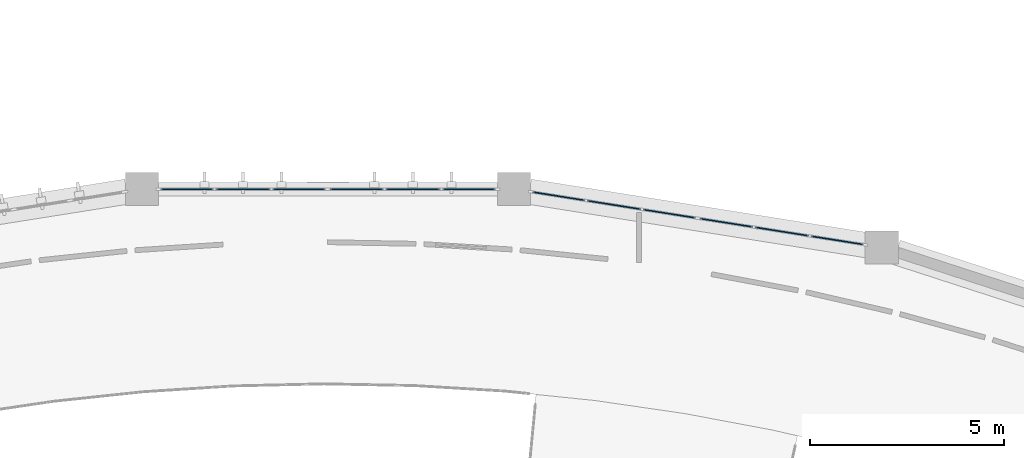
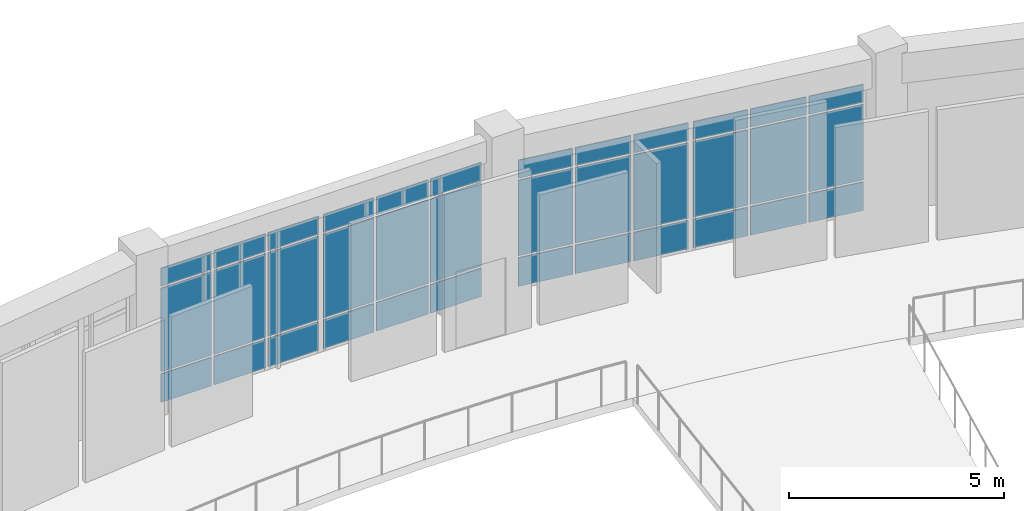
# One storey, part 44 of 68: 36 plates, 4 elements without a shape of their own.
"""IFC4 building model written with IfcOpenShell, lengths in metres."""

import ifcopenshell
import ifcopenshell.guid

model = None  # the IFC model being written
_history = None  # IfcOwnerHistory: only IFC2X3 demands one
_inside = {}  # id of a spatial element -> (the spatial element, [elements in it])
_under = {}  # id of a project, library or spatial element -> (it, [spatial elements below it])
_declared = {}  # id of a project -> (the project, [libraries it declares])
_typed = {}  # id of a type object -> (the type object, [elements of that type])
_made_of = {}  # id of a material, layer set ... -> (it, [elements and type objects made of it])


def new_model(schema):
    """Start an empty IFC model of exactly this schema.

    Asked for "IFC4X3", IfcOpenShell would pick the latest addendum, in which some entities
    have other attributes; the version numbers below select the first issue.
    IFC2X3 requires an IfcOwnerHistory on every rooted entity: one is made here for all.
    """
    global model, _history
    if schema == "IFC4X3":
        model = ifcopenshell.file(schema_version=(4, 3, 0, 0))
    else:
        model = ifcopenshell.file(schema=schema)
    _inside.clear()
    _under.clear()
    _declared.clear()
    _typed.clear()
    _made_of.clear()
    _history = None
    if model.schema == "IFC2X3":
        org = make("IfcOrganization", Name="unknown")
        user = make(
            "IfcPersonAndOrganization",
            ThePerson=make("IfcPerson", FamilyName="unknown"),
            TheOrganization=org,
        )
        app = make(
            "IfcApplication",
            ApplicationDeveloper=org,
            Version="unknown",
            ApplicationFullName="unknown",
            ApplicationIdentifier="unknown",
        )
        _history = make(
            "IfcOwnerHistory",
            OwningUser=user,
            OwningApplication=app,
            ChangeAction="ADDED",
            CreationDate=0,
        )
    return model


def make(cls, **values):
    """One entity of the class cls with the attributes given. An attribute that is None is left unset."""
    return model.create_entity(
        cls, **{name: value for name, value in values.items() if value is not None}
    )


def rooted(cls, **values):
    """An entity with a GlobalId (a new one), such as an element, a storey or a relation."""
    return make(cls, GlobalId=ifcopenshell.guid.new(), OwnerHistory=_history, **values)


def si_unit(unit_type, name, prefix=None):
    """IfcSIUnit, for example si_unit("LENGTHUNIT", "METRE", prefix="MILLI")."""
    return make("IfcSIUnit", UnitType=unit_type, Prefix=prefix, Name=name)


def assignment(units):
    """IfcUnitAssignment: the units of a project."""
    return None if units is None else make("IfcUnitAssignment", Units=units)


def point(xyz):
    """IfcCartesianPoint."""
    return None if xyz is None else make("IfcCartesianPoint", Coordinates=xyz)


def direction(xyz):
    """IfcDirection."""
    return None if xyz is None else make("IfcDirection", DirectionRatios=xyz)


def frame(location, z_axis=None, x_axis=None):
    """IfcAxis2Placement3D, a coordinate frame: its origin and axes. An axis left out is left unset."""
    return make(
        "IfcAxis2Placement3D",
        Location=point(location),
        Axis=direction(z_axis),
        RefDirection=direction(x_axis),
    )


def frame_2d(location, x_axis=None):
    """IfcAxis2Placement2D, a coordinate frame in the plane: its origin and x axis."""
    return make(
        "IfcAxis2Placement2D", Location=point(location), RefDirection=direction(x_axis)
    )


def origin():
    """The frame at (0, 0, 0) with its axes left unset."""
    return frame((0.0, 0.0, 0.0))


def origin_2d():
    """The frame at (0, 0) in the plane with its x axis left unset."""
    return frame_2d((0.0, 0.0))


def place(relative_to, where):
    """IfcLocalPlacement: puts the frame where relative to a parent placement (None: the world)."""
    return make(
        "IfcLocalPlacement", PlacementRelTo=relative_to, RelativePlacement=where
    )


def context(
    kind, dimensions, precision=None, world=None, true_north=None, identifier=None
):
    """IfcGeometricRepresentationContext, for example the 3D "Model" context."""
    return make(
        "IfcGeometricRepresentationContext",
        ContextIdentifier=identifier,
        ContextType=kind,
        CoordinateSpaceDimension=dimensions,
        Precision=precision,
        WorldCoordinateSystem=world,
        TrueNorth=true_north,
    )


def subcontext(parent, identifier, kind, view, scale=None):
    """IfcGeometricRepresentationSubContext, for example "Body" below "Model"."""
    return make(
        "IfcGeometricRepresentationSubContext",
        ContextIdentifier=identifier,
        ContextType=kind,
        ParentContext=parent,
        TargetScale=scale,
        TargetView=view,
    )


def project(units=None, contexts=None):
    """IfcProject with its units and contexts."""
    return rooted(
        "IfcProject",
        Name="project",
        RepresentationContexts=contexts,
        UnitsInContext=assignment(units),
    )


def spatial(cls, under=None, at=None, **own):
    """A site, building, storey or space (cls), placed at a placement, below another one or the project."""
    s = rooted(cls, ObjectPlacement=at, **own)
    if under is not None:
        _under.setdefault(under.id(), (under, []))[1].append(s)
    return s


def profile(cls, at=None, kind="AREA", **sizes):
    """A parametric profile (cls). Its sizes go by their IFC names, for example OverallWidth=200.0."""
    return make(cls, ProfileType=kind, Position=at, **sizes)


def rectangle(**sizes):
    """IfcRectangleProfileDef."""
    return profile("IfcRectangleProfileDef", **sizes)


def extrude(swept, where, along, depth):
    """IfcExtrudedAreaSolid: the profile swept, set in the frame where, extruded along a direction by depth."""
    return make(
        "IfcExtrudedAreaSolid",
        SweptArea=swept,
        Position=where,
        ExtrudedDirection=direction(along),
        Depth=depth,
    )


def shape(context_of_items, identifier, shape_type, items):
    """IfcShapeRepresentation: the items that make up one representation, for example the "Body"."""
    return make(
        "IfcShapeRepresentation",
        ContextOfItems=context_of_items,
        RepresentationIdentifier=identifier,
        RepresentationType=shape_type,
        Items=items,
    )


def material(Name=None, Category=None):
    """IfcMaterial."""
    return make("IfcMaterial", Name=Name, Category=Category)


def layer(
    of_material, thickness, ventilated=None, Name=None, Category=None, Priority=None
):
    """IfcMaterialLayer: one layer of a wall or slab, of a material (None: an air gap)."""
    return make(
        "IfcMaterialLayer",
        Material=of_material,
        LayerThickness=thickness,
        IsVentilated=ventilated,
        Name=Name,
        Category=Category,
        Priority=Priority,
    )


def layer_set(layers, Name=None):
    """IfcMaterialLayerSet."""
    return make("IfcMaterialLayerSet", MaterialLayers=layers, LayerSetName=Name)


def made_of(thing, what):
    """Note that an element or type object is made of a material, layer set ...; save() writes the relation."""
    if what is not None:
        _made_of.setdefault(what.id(), (what, []))[1].append(thing)
    return thing


def type_object(cls, material=None, **own):
    """A type object (cls), such as IfcWallType, which elements share."""
    return made_of(rooted(cls, **own), material)


def element(
    cls,
    number,
    at=None,
    inside=None,
    cuts=None,
    type_object=None,
    material=None,
    context=None,
    identifier="Body",
    shape_type=None,
    held_by="IfcProductDefinitionShape",
    body=None,
    shapes=None,
    **own,
):
    """One element of the class cls, such as IfcWall. Its Tag is "e" and its number.

    at: its placement. inside: the storey or other place that contains it. cuts: it is an
    opening in that element (IfcRelVoidsElement). A single representation is given by context,
    identifier, shape_type and body (its items); several are given by shapes. held_by: the class
    of the entity that holds the representations. save() writes the other relations.
    """
    e = rooted(cls, Tag="e%d" % number, ObjectPlacement=at, **own)
    if body is not None:
        shapes = [shape(context, identifier, shape_type, body)]
    if shapes is not None:
        e.Representation = make(held_by, Representations=shapes)
    if inside is not None:
        _inside.setdefault(inside.id(), (inside, []))[1].append(e)
    if cuts is not None:
        rooted(
            "IfcRelVoidsElement", RelatingBuildingElement=cuts, RelatedOpeningElement=e
        )
    if type_object is not None:
        _typed.setdefault(type_object.id(), (type_object, []))[1].append(e)
    return made_of(e, material)


def aggregate(whole, parts):
    """IfcRelAggregates: a whole, such as a stair, and the parts it consists of."""
    return rooted("IfcRelAggregates", RelatingObject=whole, RelatedObjects=parts)


def save(model, path):
    """Write the relations noted so far, then the file.

    IfcRelAggregates (storeys below a building ...), IfcRelContainedInSpatialStructure (elements
    in a storey), IfcRelDefinesByType, IfcRelAssociatesMaterial and IfcRelDeclares: one each for
    every whole, place, type object, material and project.
    """
    for whole, parts in _under.values():
        aggregate(whole, parts)
    for where, things in _inside.values():
        rooted(
            "IfcRelContainedInSpatialStructure",
            RelatedElements=things,
            RelatingStructure=where,
        )
    for kind, things in _typed.values():
        rooted("IfcRelDefinesByType", RelatedObjects=things, RelatingType=kind)
    for what, things in _made_of.values():
        rooted("IfcRelAssociatesMaterial", RelatedObjects=things, RelatingMaterial=what)
    for by, libraries in _declared.values():
        rooted("IfcRelDeclares", RelatingContext=by, RelatedDefinitions=libraries)
    model.write(path)


model = new_model("IFC4")

# Units and contexts
model_context = context("Model", 3, precision=1e-05, world=origin(), true_north=direction((0.0, 1.0)))
body_context = subcontext(model_context, "Body", "Model", "MODEL_VIEW")
ifc_project = project(units=[si_unit("LENGTHUNIT", "METRE"), si_unit("AREAUNIT", "SQUARE_METRE"), si_unit("VOLUMEUNIT", "CUBIC_METRE"), si_unit("PLANEANGLEUNIT", "RADIAN"), si_unit("MASSUNIT", "GRAM", prefix="KILO")], contexts=[model_context])

# Site, building, storey
site_placement = place(None, origin())
site = spatial("IfcSite", under=ifc_project, at=site_placement, CompositionType="ELEMENT")
building_placement = place(site_placement, origin())
building = spatial("IfcBuilding", under=site, at=building_placement, Name="Miralva Faculty of Natural Sciences", CompositionType="ELEMENT")
storey_placement = place(building_placement, frame((0.0, 0.0, 5.39990234375)))
storey = spatial("IfcBuildingStorey", under=building, at=storey_placement, Name="L01", CompositionType="ELEMENT", Elevation=5.39990234375)

# Curtain wall, plates
ifc_material = material(Name="Laminated solar-control glass", Category="glass")
ifc_layer_1 = layer(ifc_material, 0.179931640625, Name="CW-ARC-L01")
ifc_layer_set_1 = layer_set([ifc_layer_1], Name="Laminated solar-control glass")
curtain_wall_type = type_object("IfcCurtainWallType", Name="CW-ARC-L01", PredefinedType="USERDEFINED", material=ifc_layer_set_1)
curtain_wall_1_placement = place(storey_placement, origin())
curtain_wall_1 = element("IfcCurtainWall", 1, at=curtain_wall_1_placement, inside=storey, type_object=curtain_wall_type, Name="Curtain wall CW-02 L01-39", ObjectType="UNITISED CURTAIN WALL", PredefinedType="USERDEFINED")
ifc_layer_2 = layer(ifc_material, 0.028076171875, Name="PNL-P01")
ifc_layer_set_2 = layer_set([ifc_layer_2], Name="Laminated solar-control glass")
plate_type = type_object("IfcPlateType", Name="PNL-P01", PredefinedType="CURTAIN_PANEL", material=ifc_layer_set_2)
plate_1_placement = place(storey_placement, frame((86.373779296875, 39.81201171875, 0.06005859375), z_axis=(0.0, 0.0, 1.0), x_axis=(1.0, 0.0, 0.0)))
plate_1 = element("IfcPlate", 2, at=plate_1_placement, type_object=plate_type, Name="CW-02 panel 1.1", PredefinedType="CURTAIN_PANEL", context=body_context, shape_type="SweptSolid", body=[
    extrude(rectangle(XDim=1.359619140625, YDim=0.028076171875, at=origin_2d()), origin(), (0.0, 0.0, 1.0), 0.81005859375),
])
plate_2_placement = place(storey_placement, frame((86.373779296875, 39.81201171875, 0.93017578125), z_axis=(0.0, 0.0, 1.0), x_axis=(1.0, 0.0, 0.0)))
plate_2 = element("IfcPlate", 3, at=plate_2_placement, type_object=plate_type, Name="CW-02 panel 1.2", PredefinedType="CURTAIN_PANEL", context=body_context, shape_type="SweptSolid", body=[
    extrude(rectangle(XDim=1.359619140625, YDim=0.028076171875, at=origin_2d()), origin(), (0.0, 0.0, 1.0), 2.375),
])
plate_3_placement = place(storey_placement, frame((86.373779296875, 39.81201171875, 3.365234375), z_axis=(0.0, 0.0, 1.0), x_axis=(1.0, 0.0, 0.0)))
plate_3 = element("IfcPlate", 4, at=plate_3_placement, type_object=plate_type, Name="CW-02 panel 1.3", PredefinedType="CURTAIN_PANEL", context=body_context, shape_type="SweptSolid", body=[
    extrude(rectangle(XDim=1.359619140625, YDim=0.028076171875, at=origin_2d()), origin(), (0.0, 0.0, 1.0), 0.510009765625),
])
plate_4_placement = place(storey_placement, frame((87.814453125, 39.81201171875, 0.06005859375), z_axis=(0.0, 0.0, 1.0), x_axis=(1.0, 0.0, 0.0)))
plate_4 = element("IfcPlate", 5, at=plate_4_placement, type_object=plate_type, Name="CW-02 panel 2.1", PredefinedType="CURTAIN_PANEL", context=body_context, shape_type="SweptSolid", body=[
    extrude(rectangle(XDim=1.39208984375, YDim=0.028076171875, at=origin_2d()), origin(), (0.0, 0.0, 1.0), 0.81005859375),
])
plate_5_placement = place(storey_placement, frame((87.814453125, 39.81201171875, 0.93017578125), z_axis=(0.0, 0.0, 1.0), x_axis=(1.0, 0.0, 0.0)))
plate_5 = element("IfcPlate", 6, at=plate_5_placement, type_object=plate_type, Name="CW-02 panel 2.2", PredefinedType="CURTAIN_PANEL", context=body_context, shape_type="SweptSolid", body=[
    extrude(rectangle(XDim=1.39208984375, YDim=0.028076171875, at=origin_2d()), origin(), (0.0, 0.0, 1.0), 2.375),
])
plate_6_placement = place(storey_placement, frame((87.814453125, 39.81201171875, 3.365234375), z_axis=(0.0, 0.0, 1.0), x_axis=(1.0, 0.0, 0.0)))
plate_6 = element("IfcPlate", 7, at=plate_6_placement, type_object=plate_type, Name="CW-02 panel 2.3", PredefinedType="CURTAIN_PANEL", context=body_context, shape_type="SweptSolid", body=[
    extrude(rectangle(XDim=1.39208984375, YDim=0.028076171875, at=origin_2d()), origin(), (0.0, 0.0, 1.0), 0.510009765625),
])
plate_7_placement = place(storey_placement, frame((89.25537109375, 39.81201171875, 0.06005859375), z_axis=(0.0, 0.0, 1.0), x_axis=(1.0, 0.0, 0.0)))
plate_7 = element("IfcPlate", 8, at=plate_7_placement, type_object=plate_type, Name="CW-02 panel 3.1", PredefinedType="CURTAIN_PANEL", context=body_context, shape_type="SweptSolid", body=[
    extrude(rectangle(XDim=1.359619140625, YDim=0.028076171875, at=origin_2d()), origin(), (0.0, 0.0, 1.0), 0.81005859375),
])
plate_8_placement = place(storey_placement, frame((89.25537109375, 39.81201171875, 0.93017578125), z_axis=(0.0, 0.0, 1.0), x_axis=(1.0, 0.0, 0.0)))
plate_8 = element("IfcPlate", 9, at=plate_8_placement, type_object=plate_type, Name="CW-02 panel 3.2", PredefinedType="CURTAIN_PANEL", context=body_context, shape_type="SweptSolid", body=[
    extrude(rectangle(XDim=1.359619140625, YDim=0.028076171875, at=origin_2d()), origin(), (0.0, 0.0, 1.0), 2.375),
])
plate_9_placement = place(storey_placement, frame((89.25537109375, 39.81201171875, 3.365234375), z_axis=(0.0, 0.0, 1.0), x_axis=(1.0, 0.0, 0.0)))
plate_9 = element("IfcPlate", 10, at=plate_9_placement, type_object=plate_type, Name="CW-02 panel 3.3", PredefinedType="CURTAIN_PANEL", context=body_context, shape_type="SweptSolid", body=[
    extrude(rectangle(XDim=1.359619140625, YDim=0.028076171875, at=origin_2d()), origin(), (0.0, 0.0, 1.0), 0.510009765625),
])
aggregate(curtain_wall_1, [plate_1, plate_2, plate_3, plate_4, plate_5, plate_6, plate_7, plate_8, plate_9])

curtain_wall_2_placement = place(storey_placement, origin())
curtain_wall_2 = element("IfcCurtainWall", 11, at=curtain_wall_2_placement, inside=storey, type_object=curtain_wall_type, Name="Curtain wall CW-02 L01-40", ObjectType="UNITISED CURTAIN WALL", PredefinedType="USERDEFINED")
plate_10_placement = place(storey_placement, frame((90.740478515625, 39.81201171875, 0.06005859375), z_axis=(0.0, 0.0, 1.0), x_axis=(1.0, 0.0, 0.0)))
plate_10 = element("IfcPlate", 12, at=plate_10_placement, type_object=plate_type, Name="CW-02 panel 1.1", PredefinedType="CURTAIN_PANEL", context=body_context, shape_type="SweptSolid", body=[
    extrude(rectangle(XDim=1.361083984375, YDim=0.028076171875, at=origin_2d()), origin(), (0.0, 0.0, 1.0), 0.81005859375),
])
plate_11_placement = place(storey_placement, frame((90.740478515625, 39.81201171875, 0.93017578125), z_axis=(0.0, 0.0, 1.0), x_axis=(1.0, 0.0, 0.0)))
plate_11 = element("IfcPlate", 13, at=plate_11_placement, type_object=plate_type, Name="CW-02 panel 1.2", PredefinedType="CURTAIN_PANEL", context=body_context, shape_type="SweptSolid", body=[
    extrude(rectangle(XDim=1.361083984375, YDim=0.028076171875, at=origin_2d()), origin(), (0.0, 0.0, 1.0), 2.375),
])
plate_12_placement = place(storey_placement, frame((90.740478515625, 39.81201171875, 3.365234375), z_axis=(0.0, 0.0, 1.0), x_axis=(1.0, 0.0, 0.0)))
plate_12 = element("IfcPlate", 14, at=plate_12_placement, type_object=plate_type, Name="CW-02 panel 1.3", PredefinedType="CURTAIN_PANEL", context=body_context, shape_type="SweptSolid", body=[
    extrude(rectangle(XDim=1.361083984375, YDim=0.028076171875, at=origin_2d()), origin(), (0.0, 0.0, 1.0), 0.510009765625),
])
plate_13_placement = place(storey_placement, frame((92.18310546875, 39.81201171875, 0.06005859375), z_axis=(0.0, 0.0, 1.0), x_axis=(1.0, 0.0, 0.0)))
plate_13 = element("IfcPlate", 15, at=plate_13_placement, type_object=plate_type, Name="CW-02 panel 2.1", PredefinedType="CURTAIN_PANEL", context=body_context, shape_type="SweptSolid", body=[
    extrude(rectangle(XDim=1.3935546875, YDim=0.028076171875, at=origin_2d()), origin(), (0.0, 0.0, 1.0), 0.81005859375),
])
plate_14_placement = place(storey_placement, frame((92.18310546875, 39.81201171875, 0.93017578125), z_axis=(0.0, 0.0, 1.0), x_axis=(1.0, 0.0, 0.0)))
plate_14 = element("IfcPlate", 16, at=plate_14_placement, type_object=plate_type, Name="CW-02 panel 2.2", PredefinedType="CURTAIN_PANEL", context=body_context, shape_type="SweptSolid", body=[
    extrude(rectangle(XDim=1.3935546875, YDim=0.028076171875, at=origin_2d()), origin(), (0.0, 0.0, 1.0), 2.375),
])
plate_15_placement = place(storey_placement, frame((92.18310546875, 39.81201171875, 3.365234375), z_axis=(0.0, 0.0, 1.0), x_axis=(1.0, 0.0, 0.0)))
plate_15 = element("IfcPlate", 17, at=plate_15_placement, type_object=plate_type, Name="CW-02 panel 2.3", PredefinedType="CURTAIN_PANEL", context=body_context, shape_type="SweptSolid", body=[
    extrude(rectangle(XDim=1.3935546875, YDim=0.028076171875, at=origin_2d()), origin(), (0.0, 0.0, 1.0), 0.510009765625),
])
plate_16_placement = place(storey_placement, frame((93.62548828125, 39.81201171875, 0.06005859375), z_axis=(0.0, 0.0, 1.0), x_axis=(1.0, 0.0, 0.0)))
plate_16 = element("IfcPlate", 18, at=plate_16_placement, type_object=plate_type, Name="CW-02 panel 3.1", PredefinedType="CURTAIN_PANEL", context=body_context, shape_type="SweptSolid", body=[
    extrude(rectangle(XDim=1.361083984375, YDim=0.028076171875, at=origin_2d()), origin(), (0.0, 0.0, 1.0), 0.81005859375),
])
plate_17_placement = place(storey_placement, frame((93.62548828125, 39.81201171875, 0.93017578125), z_axis=(0.0, 0.0, 1.0), x_axis=(1.0, 0.0, 0.0)))
plate_17 = element("IfcPlate", 19, at=plate_17_placement, type_object=plate_type, Name="CW-02 panel 3.2", PredefinedType="CURTAIN_PANEL", context=body_context, shape_type="SweptSolid", body=[
    extrude(rectangle(XDim=1.361083984375, YDim=0.028076171875, at=origin_2d()), origin(), (0.0, 0.0, 1.0), 2.375),
])
plate_18_placement = place(storey_placement, frame((93.62548828125, 39.81201171875, 3.365234375), z_axis=(0.0, 0.0, 1.0), x_axis=(1.0, 0.0, 0.0)))
plate_18 = element("IfcPlate", 20, at=plate_18_placement, type_object=plate_type, Name="CW-02 panel 3.3", PredefinedType="CURTAIN_PANEL", context=body_context, shape_type="SweptSolid", body=[
    extrude(rectangle(XDim=1.361083984375, YDim=0.028076171875, at=origin_2d()), origin(), (0.0, 0.0, 1.0), 0.510009765625),
])
aggregate(curtain_wall_2, [plate_10, plate_11, plate_12, plate_13, plate_14, plate_15, plate_16, plate_17, plate_18])

curtain_wall_3_placement = place(storey_placement, origin())
curtain_wall_3 = element("IfcCurtainWall", 21, at=curtain_wall_3_placement, inside=storey, type_object=curtain_wall_type, Name="Curtain wall CW-02 L01-41", ObjectType="UNITISED CURTAIN WALL", PredefinedType="USERDEFINED")
plate_19_placement = place(storey_placement, frame((95.931396484375, 39.630615234375, 0.06005859375), z_axis=(0.0, 0.0, 1.0), x_axis=(0.987691073089, -0.156417211778, 0.0)))
plate_19 = element("IfcPlate", 22, at=plate_19_placement, type_object=plate_type, Name="CW-02 panel 1.1", PredefinedType="CURTAIN_PANEL", context=body_context, shape_type="SweptSolid", body=[
    extrude(rectangle(XDim=1.359619140625, YDim=0.028076171875, at=origin_2d()), origin(), (0.0, 0.0, 1.0), 0.81005859375),
])
plate_20_placement = place(storey_placement, frame((95.931396484375, 39.630615234375, 0.93017578125), z_axis=(0.0, 0.0, 1.0), x_axis=(0.987691073089, -0.156417211778, 0.0)))
plate_20 = element("IfcPlate", 23, at=plate_20_placement, type_object=plate_type, Name="CW-02 panel 1.2", PredefinedType="CURTAIN_PANEL", context=body_context, shape_type="SweptSolid", body=[
    extrude(rectangle(XDim=1.359619140625, YDim=0.028076171875, at=origin_2d()), origin(), (0.0, 0.0, 1.0), 2.14501953125),
])
plate_21_placement = place(storey_placement, frame((95.931396484375, 39.630615234375, 3.13525390625), z_axis=(0.0, 0.0, 1.0), x_axis=(0.987691073089, -0.156417211778, 0.0)))
plate_21 = element("IfcPlate", 24, at=plate_21_placement, type_object=plate_type, Name="CW-02 panel 1.3", PredefinedType="CURTAIN_PANEL", context=body_context, shape_type="SweptSolid", body=[
    extrude(rectangle(XDim=1.359619140625, YDim=0.028076171875, at=origin_2d()), origin(), (0.0, 0.0, 1.0), 0.510009765625),
])
plate_22_placement = place(storey_placement, frame((97.3544921875, 39.405029296875, 0.06005859375), z_axis=(0.0, 0.0, 1.0), x_axis=(0.987691073089, -0.156417211778, 0.0)))
plate_22 = element("IfcPlate", 25, at=plate_22_placement, type_object=plate_type, Name="CW-02 panel 2.1", PredefinedType="CURTAIN_PANEL", context=body_context, shape_type="SweptSolid", body=[
    extrude(rectangle(XDim=1.39208984375, YDim=0.028076171875, at=origin_2d()), origin(), (0.0, 0.0, 1.0), 0.81005859375),
])
plate_23_placement = place(storey_placement, frame((97.3544921875, 39.405029296875, 0.93017578125), z_axis=(0.0, 0.0, 1.0), x_axis=(0.987691073089, -0.156417211778, 0.0)))
plate_23 = element("IfcPlate", 26, at=plate_23_placement, type_object=plate_type, Name="CW-02 panel 2.2", PredefinedType="CURTAIN_PANEL", context=body_context, shape_type="SweptSolid", body=[
    extrude(rectangle(XDim=1.39208984375, YDim=0.028076171875, at=origin_2d()), origin(), (0.0, 0.0, 1.0), 2.14501953125),
])
plate_24_placement = place(storey_placement, frame((97.3544921875, 39.405029296875, 3.13525390625), z_axis=(0.0, 0.0, 1.0), x_axis=(0.987691073089, -0.156417211778, 0.0)))
plate_24 = element("IfcPlate", 27, at=plate_24_placement, type_object=plate_type, Name="CW-02 panel 2.3", PredefinedType="CURTAIN_PANEL", context=body_context, shape_type="SweptSolid", body=[
    extrude(rectangle(XDim=1.39208984375, YDim=0.028076171875, at=origin_2d()), origin(), (0.0, 0.0, 1.0), 0.510009765625),
])
plate_25_placement = place(storey_placement, frame((98.777587890625, 39.1796875, 0.06005859375), z_axis=(0.0, 0.0, 1.0), x_axis=(0.987691073089, -0.156417211778, 0.0)))
plate_25 = element("IfcPlate", 28, at=plate_25_placement, type_object=plate_type, Name="CW-02 panel 3.1", PredefinedType="CURTAIN_PANEL", context=body_context, shape_type="SweptSolid", body=[
    extrude(rectangle(XDim=1.359619140625, YDim=0.028076171875, at=origin_2d()), origin(), (0.0, 0.0, 1.0), 0.81005859375),
])
plate_26_placement = place(storey_placement, frame((98.777587890625, 39.1796875, 0.93017578125), z_axis=(0.0, 0.0, 1.0), x_axis=(0.987691073089, -0.156417211778, 0.0)))
plate_26 = element("IfcPlate", 29, at=plate_26_placement, type_object=plate_type, Name="CW-02 panel 3.2", PredefinedType="CURTAIN_PANEL", context=body_context, shape_type="SweptSolid", body=[
    extrude(rectangle(XDim=1.359619140625, YDim=0.028076171875, at=origin_2d()), origin(), (0.0, 0.0, 1.0), 2.14501953125),
])
plate_27_placement = place(storey_placement, frame((98.777587890625, 39.1796875, 3.13525390625), z_axis=(0.0, 0.0, 1.0), x_axis=(0.987691073089, -0.156417211778, 0.0)))
plate_27 = element("IfcPlate", 30, at=plate_27_placement, type_object=plate_type, Name="CW-02 panel 3.3", PredefinedType="CURTAIN_PANEL", context=body_context, shape_type="SweptSolid", body=[
    extrude(rectangle(XDim=1.359619140625, YDim=0.028076171875, at=origin_2d()), origin(), (0.0, 0.0, 1.0), 0.510009765625),
])
aggregate(curtain_wall_3, [plate_19, plate_20, plate_21, plate_22, plate_23, plate_24, plate_25, plate_26, plate_27])

curtain_wall_4_placement = place(storey_placement, origin())
curtain_wall_4 = element("IfcCurtainWall", 31, at=curtain_wall_4_placement, inside=storey, type_object=curtain_wall_type, Name="Curtain wall CW-02 L01-42", ObjectType="UNITISED CURTAIN WALL", PredefinedType="USERDEFINED")
plate_28_placement = place(storey_placement, frame((100.24462890625, 38.947509765625, 0.06005859375), z_axis=(0.0, 0.0, 1.0), x_axis=(0.987686694805, -0.156444855796, 0.0)))
plate_28 = element("IfcPlate", 32, at=plate_28_placement, type_object=plate_type, Name="CW-02 panel 1.1", PredefinedType="CURTAIN_PANEL", context=body_context, shape_type="SweptSolid", body=[
    extrude(rectangle(XDim=1.361083984375, YDim=0.028076171875, at=origin_2d()), origin(), (0.0, 0.0, 1.0), 0.81005859375),
])
plate_29_placement = place(storey_placement, frame((100.24462890625, 38.947509765625, 0.93017578125), z_axis=(0.0, 0.0, 1.0), x_axis=(0.987686694805, -0.156444855796, 0.0)))
plate_29 = element("IfcPlate", 33, at=plate_29_placement, type_object=plate_type, Name="CW-02 panel 1.2", PredefinedType="CURTAIN_PANEL", context=body_context, shape_type="SweptSolid", body=[
    extrude(rectangle(XDim=1.361083984375, YDim=0.028076171875, at=origin_2d()), origin(), (0.0, 0.0, 1.0), 2.14501953125),
])
plate_30_placement = place(storey_placement, frame((100.24462890625, 38.947509765625, 3.13525390625), z_axis=(0.0, 0.0, 1.0), x_axis=(0.987686694805, -0.156444855796, 0.0)))
plate_30 = element("IfcPlate", 34, at=plate_30_placement, type_object=plate_type, Name="CW-02 panel 1.3", PredefinedType="CURTAIN_PANEL", context=body_context, shape_type="SweptSolid", body=[
    extrude(rectangle(XDim=1.361083984375, YDim=0.028076171875, at=origin_2d()), origin(), (0.0, 0.0, 1.0), 0.510009765625),
])
plate_31_placement = place(storey_placement, frame((101.669189453125, 38.7216796875, 0.06005859375), z_axis=(0.0, 0.0, 1.0), x_axis=(0.987686694805, -0.156444855796, 0.0)))
plate_31 = element("IfcPlate", 35, at=plate_31_placement, type_object=plate_type, Name="CW-02 panel 2.1", PredefinedType="CURTAIN_PANEL", context=body_context, shape_type="SweptSolid", body=[
    extrude(rectangle(XDim=1.3935546875, YDim=0.028076171875, at=origin_2d()), origin(), (0.0, 0.0, 1.0), 0.81005859375),
])
plate_32_placement = place(storey_placement, frame((101.669189453125, 38.7216796875, 0.93017578125), z_axis=(0.0, 0.0, 1.0), x_axis=(0.987686694805, -0.156444855796, 0.0)))
plate_32 = element("IfcPlate", 36, at=plate_32_placement, type_object=plate_type, Name="CW-02 panel 2.2", PredefinedType="CURTAIN_PANEL", context=body_context, shape_type="SweptSolid", body=[
    extrude(rectangle(XDim=1.3935546875, YDim=0.028076171875, at=origin_2d()), origin(), (0.0, 0.0, 1.0), 2.14501953125),
])
plate_33_placement = place(storey_placement, frame((101.669189453125, 38.7216796875, 3.13525390625), z_axis=(0.0, 0.0, 1.0), x_axis=(0.987686694805, -0.156444855796, 0.0)))
plate_33 = element("IfcPlate", 37, at=plate_33_placement, type_object=plate_type, Name="CW-02 panel 2.3", PredefinedType="CURTAIN_PANEL", context=body_context, shape_type="SweptSolid", body=[
    extrude(rectangle(XDim=1.3935546875, YDim=0.028076171875, at=origin_2d()), origin(), (0.0, 0.0, 1.0), 0.510009765625),
])
plate_34_placement = place(storey_placement, frame((103.093994140625, 38.49609375, 0.06005859375), z_axis=(0.0, 0.0, 1.0), x_axis=(0.987686694805, -0.156444855796, 0.0)))
plate_34 = element("IfcPlate", 38, at=plate_34_placement, type_object=plate_type, Name="CW-02 panel 3.1", PredefinedType="CURTAIN_PANEL", context=body_context, shape_type="SweptSolid", body=[
    extrude(rectangle(XDim=1.361083984375, YDim=0.028076171875, at=origin_2d()), origin(), (0.0, 0.0, 1.0), 0.81005859375),
])
plate_35_placement = place(storey_placement, frame((103.093994140625, 38.49609375, 0.93017578125), z_axis=(0.0, 0.0, 1.0), x_axis=(0.987686694805, -0.156444855796, 0.0)))
plate_35 = element("IfcPlate", 39, at=plate_35_placement, type_object=plate_type, Name="CW-02 panel 3.2", PredefinedType="CURTAIN_PANEL", context=body_context, shape_type="SweptSolid", body=[
    extrude(rectangle(XDim=1.361083984375, YDim=0.028076171875, at=origin_2d()), origin(), (0.0, 0.0, 1.0), 2.14501953125),
])
plate_36_placement = place(storey_placement, frame((103.093994140625, 38.49609375, 3.13525390625), z_axis=(0.0, 0.0, 1.0), x_axis=(0.987686694805, -0.156444855796, 0.0)))
plate_36 = element("IfcPlate", 40, at=plate_36_placement, type_object=plate_type, Name="CW-02 panel 3.3", PredefinedType="CURTAIN_PANEL", context=body_context, shape_type="SweptSolid", body=[
    extrude(rectangle(XDim=1.361083984375, YDim=0.028076171875, at=origin_2d()), origin(), (0.0, 0.0, 1.0), 0.510009765625),
])
aggregate(curtain_wall_4, [plate_28, plate_29, plate_30, plate_31, plate_32, plate_33, plate_34, plate_35, plate_36])

save(model, "model.ifc")
